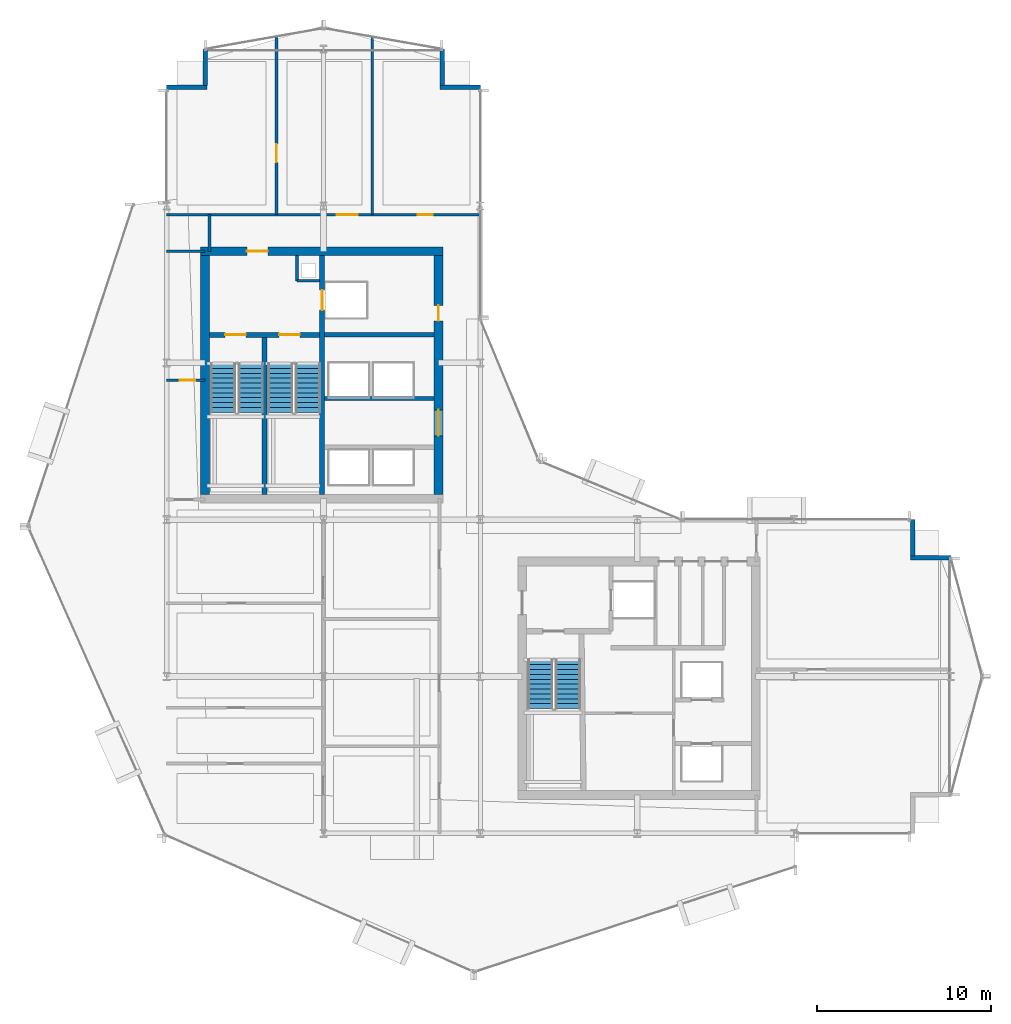
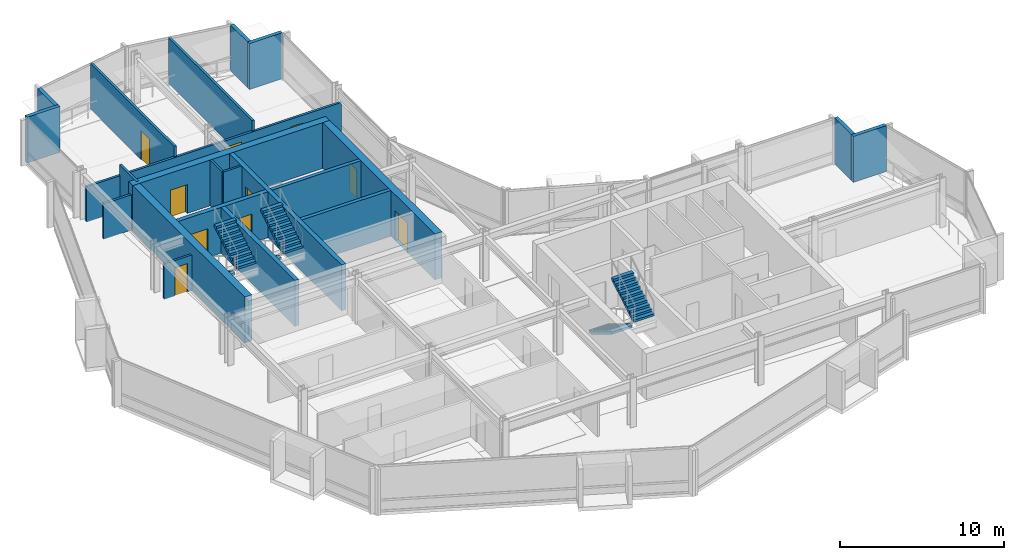
# One storey, part 23 of 28: 22 walls, 10 doors, 6 stair flights, 10 openings, 3 elements without a shape of their own.
"""IFC4 building model written with IfcOpenShell, lengths in metres."""

from ifc_helpers import new_model, si_unit, direction, frame, frame_2d, origin, place, context, subcontext, project, spatial, polyline, rectangle, outline, extrude, material, layer, layer_set, type_object, element, fill, aggregate, save


model = new_model("IFC4")

# Units and contexts
model_context = context("Model", 3, precision=1e-05, world=origin(), true_north=direction((0.0, 1.0)))
body_context = subcontext(model_context, "Body", "Model", "MODEL_VIEW")
ifc_project = project(units=[si_unit("LENGTHUNIT", "METRE"), si_unit("AREAUNIT", "SQUARE_METRE"), si_unit("VOLUMEUNIT", "CUBIC_METRE"), si_unit("PLANEANGLEUNIT", "RADIAN"), si_unit("MASSUNIT", "GRAM", prefix="KILO")], contexts=[model_context])

# Site, building, storey
site_placement = place(None, origin())
site = spatial("IfcSite", under=ifc_project, at=site_placement, CompositionType="ELEMENT")
building_placement = place(site_placement, origin())
building = spatial("IfcBuilding", under=site, at=building_placement, Name="Solvaryn Broadcast Tower", CompositionType="ELEMENT")
storey_placement = place(building_placement, frame((0.0, 0.0, 135.89990234375)))
storey = spatial("IfcBuildingStorey", under=building, at=storey_placement, Name="L33", CompositionType="ELEMENT", Elevation=135.89990234375)

# Wall, opening, door
ifc_material_1 = material(Name="Concrete f'c 70 MPa", Category="concrete")
ifc_layer_1 = layer(ifc_material_1, 0.5)
ifc_layer_set_1 = layer_set([ifc_layer_1], Name="CW-SHEAR-500")
wall_type_1 = type_object("IfcWallType", Name="CW-SHEAR-500", PredefinedType="SHEAR", material=ifc_layer_set_1)
wall_1_placement = place(storey_placement, frame((24.85009765625, 42.39990234375, 0.0), z_axis=(0.0, 0.0, 1.0), x_axis=(-1.0, 0.0, 0.0)))
wall_1 = element("IfcWall", 1, at=wall_1_placement, inside=storey, type_object=wall_type_1, Name="L33 West Core North Shear Wall", PredefinedType="SHEAR", context=body_context, shape_type="SweptSolid", body=[
    extrude(rectangle(XDim=13.900146484375, YDim=0.5, at=frame_2d((6.9501953125, 0.0))), origin(), (0.0, 0.0, 1.0), 3.420166015625),
])
opening_1_placement = place(wall_1_placement, frame((10.050048828125, 0.0, 0.0)))
opening_1 = element("IfcOpeningElement", 2, at=opening_1_placement, cuts=wall_1, Name="Opening FD90A", PredefinedType="OPENING", context=body_context, shape_type="SweptSolid", body=[
    extrude(rectangle(XDim=1.199951171875, YDim=2.14990234375, at=frame_2d((0.60009765625, 1.074951171875))), frame((0.0, 0.260009765625, 0.0), z_axis=(0.0, -1.0, 0.0), x_axis=(1.0, 0.0, 0.0)), (0.0, 0.0, 1.0), 0.52001953125),
])
ifc_material_2 = material(Name="Flush Acoustic Steel and Timber Door Assembly", Category="steel")
door_type_1 = type_object("IfcDoorType", Name="FD90-STAIR-1200X2150", OperationType="NOTDEFINED", PredefinedType="DOOR", material=ifc_material_2)
door_1_placement = place(opening_1_placement, origin())
door_1 = element("IfcDoor", 3, at=door_1_placement, inside=storey, type_object=door_type_1, Name="L33 West FSAE Lobby Corridor Door", OperationType="SINGLE_SWING_LEFT", OverallHeight=2.14990234375, OverallWidth=1.199951171875, PredefinedType="DOOR", context=body_context, shape_type="SweptSolid", body=[
    extrude(rectangle(XDim=1.199951171875, YDim=2.14990234375, at=frame_2d((0.60009765625, 1.074951171875))), frame((0.0, 0.02490234375, 0.0), z_axis=(0.0, -1.0, 0.0), x_axis=(1.0, 0.0, 0.0)), (0.0, 0.0, 1.0), 0.050048828125),
])
fill(opening_1, door_1)

# Wall
wall_2_placement = place(storey_placement, frame((11.199951171875, 42.14990234375, 0.0), z_axis=(0.0, 0.0, 1.0), x_axis=(0.0, -1.0, 0.0)))
element("IfcWall", 4, at=wall_2_placement, inside=storey, type_object=wall_type_1, Name="L33 West Core West Shear Wall", PredefinedType="SHEAR", context=body_context, shape_type="SweptSolid", body=[
    extrude(rectangle(XDim=13.699951171875, YDim=0.5, at=frame_2d((6.85009765625, 0.0))), origin(), (0.0, 0.0, 1.0), 3.420166015625),
])

# Wall, openings, doors
wall_3_placement = place(storey_placement, frame((24.60009765625, 28.449951171875, 0.0), z_axis=(0.0, 0.0, 1.0), x_axis=(0.0, 1.0, 0.0)))
wall_3 = element("IfcWall", 5, at=wall_3_placement, inside=storey, type_object=wall_type_1, Name="L33 West Core East Shear Wall", PredefinedType="SHEAR", context=body_context, shape_type="SweptSolid", body=[
    extrude(rectangle(XDim=13.699951171875, YDim=0.5, at=frame_2d((6.85009765625, 0.0))), origin(), (0.0, 0.0, 1.0), 3.420166015625),
])
opening_2_placement = place(wall_3_placement, frame((3.35009765625, 0.0, 0.0)))
opening_2 = element("IfcOpeningElement", 6, at=opening_2_placement, cuts=wall_3, Name="Opening FD60A", PredefinedType="OPENING", context=body_context, shape_type="SweptSolid", body=[
    extrude(rectangle(XDim=1.5, YDim=2.199951171875, at=frame_2d((0.75, 1.10009765625))), frame((0.0, 0.260009765625, 0.0), z_axis=(0.0, -1.0, 0.0), x_axis=(1.0, 0.0, 0.0)), (0.0, 0.0, 1.0), 0.52001953125),
])
opening_3_placement = place(wall_3_placement, frame((9.949951171875, 0.0, 0.0)))
opening_3 = element("IfcOpeningElement", 7, at=opening_3_placement, cuts=wall_3, Name="Opening FD60C", PredefinedType="OPENING", context=body_context, shape_type="SweptSolid", body=[
    extrude(rectangle(XDim=0.89990234375, YDim=2.10009765625, at=frame_2d((0.449951171875, 1.050048828125))), frame((0.0, 0.260009765625, 0.0), z_axis=(0.0, -1.0, 0.0), x_axis=(1.0, 0.0, 0.0)), (0.0, 0.0, 1.0), 0.52001953125),
])
ifc_material_3 = material(Name="Flush Acoustic Steel and Timber Door Assembly", Category="steel")
door_type_2 = type_object("IfcDoorType", Name="FD60-CORR-1500X2200", OperationType="NOTDEFINED", PredefinedType="DOOR", material=ifc_material_3)
door_2_placement = place(opening_2_placement, origin())
door_2 = element("IfcDoor", 8, at=door_2_placement, inside=storey, type_object=door_type_2, Name="L33 West Elevator Lobby Corridor Door", OperationType="DOUBLE_DOOR_SINGLE_SWING", OverallHeight=2.199951171875, OverallWidth=1.5, PredefinedType="DOOR", context=body_context, shape_type="SweptSolid", body=[
    extrude(rectangle(XDim=1.5, YDim=2.199951171875, at=frame_2d((0.75, 1.10009765625))), frame((0.0, 0.02490234375, 0.0), z_axis=(0.0, -1.0, 0.0), x_axis=(1.0, 0.0, 0.0)), (0.0, 0.0, 1.0), 0.050048828125),
])
fill(opening_2, door_2)
ifc_material_4 = material(Name="Flush Acoustic Steel and Timber Door Assembly", Category="steel")
door_type_3 = type_object("IfcDoorType", Name="FD60-SERV-900X2100", OperationType="NOTDEFINED", PredefinedType="DOOR", material=ifc_material_4)
door_3_placement = place(opening_3_placement, origin())
door_3 = element("IfcDoor", 9, at=door_3_placement, inside=storey, type_object=door_type_3, Name="L33 West Core Service Door 1", OperationType="SINGLE_SWING_LEFT", OverallHeight=2.10009765625, OverallWidth=0.89990234375, PredefinedType="DOOR", context=body_context, shape_type="SweptSolid", body=[
    extrude(rectangle(XDim=0.89990234375, YDim=2.10009765625, at=frame_2d((0.449951171875, 1.050048828125))), frame((0.0, 0.02490234375, 0.0), z_axis=(0.0, -1.0, 0.0), x_axis=(1.0, 0.0, 0.0)), (0.0, 0.0, 1.0), 0.050048828125),
])
fill(opening_3, door_3)

# Walls
ifc_material_5 = material(Name="Concrete f'c 50 MPa", Category="concrete")
ifc_layer_2 = layer(ifc_material_5, 0.260009765625)
ifc_layer_set_2 = layer_set([ifc_layer_2], Name="EW-PIER-260")
wall_type_2 = type_object("IfcWallType", Name="EW-PIER-260", PredefinedType="SOLIDWALL", material=ifc_layer_set_2)
wall_4_placement = place(storey_placement, frame((9.0, 51.800048828125, 0.0), z_axis=(0.0, 0.0, 1.0), x_axis=(1.0, 0.0, 0.0)))
element("IfcWall", 10, at=wall_4_placement, inside=storey, type_object=wall_type_2, Name="L33 Notched Corner Pier Wall NNW1", PredefinedType="SOLIDWALL", context=body_context, shape_type="SweptSolid", body=[
    extrude(rectangle(XDim=2.320068359375, YDim=0.260009765625, at=frame_2d((1.16015625, 0.0))), origin(), (0.0, 0.0, 1.0), 3.420166015625),
])
for number, where, z_axis, x_axis, name in (
    (11, (11.199951171875, 51.919921875, 0.0), (0.0, 0.0, 1.0), (0.0, 1.0, 0.0), "L33 Notched Corner Pier Wall NNW2"),
    (12, (24.800048828125, 54.0, 0.0), (0.0, 0.0, 1.0), (0.0, -1.0, 0.0), "L33 Notched Corner Pier Wall NNE1"),
):
    element("IfcWall", number, at=place(storey_placement, frame(where, z_axis=z_axis, x_axis=x_axis)), inside=storey, type_object=wall_type_2, Name=name, PredefinedType="SOLIDWALL", context=body_context, shape_type="SweptSolid", body=[
        extrude(rectangle(XDim=2.080078125, YDim=0.260009765625, at=frame_2d((1.0400390625, 0.0))), origin(), (0.0, 0.0, 1.0), 3.420166015625),
    ])
for number, where, z_axis, x_axis, name in (
    (13, (24.679931640625, 51.800048828125, 0.0), (0.0, 0.0, 1.0), (1.0, 0.0, 0.0), "L33 Notched Corner Pier Wall NNE2"),
    (14, (54.0, 24.800048828125, 0.0), (0.0, 0.0, 1.0), (-1.0, 0.0, 0.0), "L33 Notched Corner Pier Wall NEE1"),
):
    element("IfcWall", number, at=place(storey_placement, frame(where, z_axis=z_axis, x_axis=x_axis)), inside=storey, type_object=wall_type_2, Name=name, PredefinedType="SOLIDWALL", context=body_context, shape_type="SweptSolid", body=[
        extrude(rectangle(XDim=2.320068359375, YDim=0.260009765625, at=frame_2d((1.16015625, 0.0))), origin(), (0.0, 0.0, 1.0), 3.420166015625),
    ])
wall_5_placement = place(storey_placement, frame((51.800048828125, 24.919921875, 0.0), z_axis=(0.0, 0.0, 1.0), x_axis=(0.0, 1.0, 0.0)))
element("IfcWall", 15, at=wall_5_placement, inside=storey, type_object=wall_type_2, Name="L33 Notched Corner Pier Wall NEE2", PredefinedType="SOLIDWALL", context=body_context, shape_type="SweptSolid", body=[
    extrude(rectangle(XDim=2.080078125, YDim=0.260009765625, at=frame_2d((1.0400390625, 0.0))), origin(), (0.0, 0.0, 1.0), 3.420166015625),
])
ifc_material_6 = material(Name="Metal-Stud Service Core Partition")
ifc_layer_3 = layer(ifc_material_6, 0.14990234375)
ifc_layer_set_3 = layer_set([ifc_layer_3], Name="IW-PART-150")
wall_type_3 = type_object("IfcWallType", Name="IW-PART-150", PredefinedType="PARTITIONING", material=ifc_layer_set_3)
wall_6_placement = place(storey_placement, frame((16.47998046875, 40.699951171875, 0.0), z_axis=(0.0, 0.0, 1.0), x_axis=(1.0, 0.0, 0.0)))
element("IfcWall", 16, at=wall_6_placement, inside=storey, type_object=wall_type_3, Name="L33 West Core Riser Shaft South Wall", PredefinedType="PARTITIONING", context=body_context, shape_type="SweptSolid", body=[
    extrude(rectangle(XDim=1.2900390625, YDim=0.14990234375, at=frame_2d((0.64501953125, 0.0))), origin(), (0.0, 0.0, 1.0), 3.420166015625),
])
wall_7_placement = place(storey_placement, frame((16.47998046875, 40.699951171875, 0.0), z_axis=(0.0, 0.0, 1.0), x_axis=(0.0, 1.0, 0.0)))
element("IfcWall", 17, at=wall_7_placement, inside=storey, type_object=wall_type_3, Name="L33 West Core Riser Shaft West Wall", PredefinedType="PARTITIONING", context=body_context, shape_type="SweptSolid", body=[
    extrude(rectangle(XDim=1.449951171875, YDim=0.14990234375, at=frame_2d((0.72509765625, 0.0))), origin(), (0.0, 0.0, 1.0), 3.420166015625),
])

# Wall, opening, door
wall_8_placement = place(storey_placement, frame((9.0, 35.0, 0.0), z_axis=(0.0, 0.0, 1.0), x_axis=(1.0, 0.0, 0.0)))
wall_8 = element("IfcWall", 18, at=wall_8_placement, inside=storey, type_object=wall_type_3, Name="L33 Interior Partition IW-L33-WM-M", PredefinedType="PARTITIONING", context=body_context, shape_type="SweptSolid", body=[
    extrude(rectangle(XDim=2.199951171875, YDim=0.14990234375, at=frame_2d((1.10009765625, 0.0))), origin(), (0.0, 0.0, 1.0), 2.634033203125),
])
opening_4_placement = place(wall_8_placement, frame((0.75, 0.0, 0.0)))
opening_4 = element("IfcOpeningElement", 19, at=opening_4_placement, cuts=wall_8, Name="Opening FD60C", PredefinedType="OPENING", context=body_context, shape_type="SweptSolid", body=[
    extrude(rectangle(XDim=0.89990234375, YDim=2.10009765625, at=frame_2d((0.449951171875, 1.050048828125))), frame((0.0, 0.0849609375, 0.0), z_axis=(0.0, -1.0, 0.0), x_axis=(1.0, 0.0, 0.0)), (0.0, 0.0, 1.0), 0.169921875),
])
door_4_placement = place(opening_4_placement, origin())
door_4 = element("IfcDoor", 20, at=door_4_placement, inside=storey, type_object=door_type_3, Name="L33 Door DR-L33-WM1", OperationType="SINGLE_SWING_RIGHT", OverallHeight=2.10009765625, OverallWidth=0.89990234375, PredefinedType="DOOR", context=body_context, shape_type="SweptSolid", body=[
    extrude(rectangle(XDim=0.89990234375, YDim=2.10009765625, at=frame_2d((0.449951171875, 1.050048828125))), frame((0.0, 0.02490234375, 0.0), z_axis=(0.0, -1.0, 0.0), x_axis=(1.0, 0.0, 0.0)), (0.0, 0.0, 1.0), 0.050048828125),
])
fill(opening_4, door_4)

# Walls
ifc_material_7 = material(Name="Metal-Stud Gypsum Office Partition")
ifc_layer_4 = layer(ifc_material_7, 0.159912109375)
ifc_layer_set_4 = layer_set([ifc_layer_4], Name="IW-PART-160")
wall_type_4 = type_object("IfcWallType", Name="IW-PART-160", PredefinedType="PARTITIONING", material=ifc_layer_set_4)
wall_9_placement = place(storey_placement, frame((9.0, 42.39990234375, 0.0), z_axis=(0.0, 0.0, 1.0), x_axis=(1.0, 0.0, 0.0)))
element("IfcWall", 21, at=wall_9_placement, inside=storey, type_object=wall_type_4, Name="L33 Interior Partition IW-L33-WM-N", PredefinedType="PARTITIONING", context=body_context, shape_type="SweptSolid", body=[
    extrude(rectangle(XDim=2.199951171875, YDim=0.159912109375, at=frame_2d((1.10009765625, 0.0))), origin(), (0.0, 0.0, 1.0), 2.634033203125),
])
wall_10_placement = place(storey_placement, frame((11.449951171875, 42.39990234375, 0.0), z_axis=(0.0, 0.0, 1.0), x_axis=(0.0, 1.0, 0.0)))
element("IfcWall", 22, at=wall_10_placement, inside=storey, type_object=wall_type_4, Name="L33 Interior Partition IW-L33-WM-E", PredefinedType="PARTITIONING", context=body_context, shape_type="SweptSolid", body=[
    extrude(rectangle(XDim=2.10009765625, YDim=0.159912109375, at=frame_2d((1.050048828125, 0.0))), origin(), (0.0, 0.0, 1.0), 3.420166015625),
])

# Wall, openings, doors
wall_11_placement = place(storey_placement, frame((9.0, 44.5, 0.0), z_axis=(0.0, 0.0, 1.0), x_axis=(1.0, 0.0, 0.0)))
wall_11 = element("IfcWall", 23, at=wall_11_placement, inside=storey, type_object=wall_type_4, Name="L33 Interior Partition IW-L33-NW-SB", PredefinedType="PARTITIONING", context=body_context, shape_type="SweptSolid", body=[
    extrude(rectangle(XDim=18.0, YDim=0.159912109375, at=frame_2d((9.0, 0.0))), origin(), (0.0, 0.0, 1.0), 2.634033203125),
])
opening_5_placement = place(wall_11_placement, frame((9.75, 0.0, 0.0)))
opening_5 = element("IfcOpeningElement", 24, at=opening_5_placement, cuts=wall_11, Name="Opening ID04", PredefinedType="OPENING", context=body_context, shape_type="SweptSolid", body=[
    extrude(rectangle(XDim=1.199951171875, YDim=2.14990234375, at=frame_2d((0.60009765625, 1.074951171875))), frame((0.0, 0.090087890625, 0.0), z_axis=(0.0, -1.0, 0.0), x_axis=(1.0, 0.0, 0.0)), (0.0, 0.0, 1.0), 0.179931640625),
])
opening_6_placement = place(wall_11_placement, frame((14.39990234375, 0.0, 0.0)))
opening_6 = element("IfcOpeningElement", 25, at=opening_6_placement, cuts=wall_11, Name="Opening ID07", PredefinedType="OPENING", context=body_context, shape_type="SweptSolid", body=[
    extrude(rectangle(XDim=0.860107421875, YDim=2.050048828125, at=frame_2d((0.43017578125, 1.02490234375))), frame((0.0, 0.090087890625, 0.0), z_axis=(0.0, -1.0, 0.0), x_axis=(1.0, 0.0, 0.0)), (0.0, 0.0, 1.0), 0.179931640625),
])
ifc_material_8 = material(Name="Flush Acoustic Steel and Timber Door Assembly", Category="steel")
door_type_4 = type_object("IfcDoorType", Name="ID-04-1200X2150", OperationType="NOTDEFINED", PredefinedType="DOOR", material=ifc_material_8)
door_5_placement = place(opening_5_placement, origin())
door_5 = element("IfcDoor", 26, at=door_5_placement, inside=storey, type_object=door_type_4, Name="L33 Door DR-L33-NW-2", OperationType="SINGLE_SWING_RIGHT", OverallHeight=2.14990234375, OverallWidth=1.199951171875, PredefinedType="DOOR", context=body_context, shape_type="SweptSolid", body=[
    extrude(rectangle(XDim=1.199951171875, YDim=2.14990234375, at=frame_2d((0.60009765625, 1.074951171875))), frame((0.0, 0.02490234375, 0.0), z_axis=(0.0, -1.0, 0.0), x_axis=(1.0, 0.0, 0.0)), (0.0, 0.0, 1.0), 0.050048828125),
])
fill(opening_5, door_5)
ifc_material_9 = material(Name="Flush Acoustic Steel and Timber Door Assembly", Category="steel")
door_type_5 = type_object("IfcDoorType", Name="ID-07-860X2050", OperationType="NOTDEFINED", PredefinedType="DOOR", material=ifc_material_9)
door_6_placement = place(opening_6_placement, origin())
door_6 = element("IfcDoor", 27, at=door_6_placement, inside=storey, type_object=door_type_5, Name="L33 Door DR-L33-NW-3", OperationType="SINGLE_SWING_LEFT", OverallHeight=2.050048828125, OverallWidth=0.860107421875, PredefinedType="DOOR", context=body_context, shape_type="SweptSolid", body=[
    extrude(rectangle(XDim=0.860107421875, YDim=2.050048828125, at=frame_2d((0.43017578125, 1.02490234375))), frame((0.0, 0.02490234375, 0.0), z_axis=(0.0, -1.0, 0.0), x_axis=(1.0, 0.0, 0.0)), (0.0, 0.0, 1.0), 0.050048828125),
])
fill(opening_6, door_6)

# Wall, opening, door
wall_12_placement = place(storey_placement, frame((15.300048828125, 44.5, 0.0), z_axis=(0.0, 0.0, 1.0), x_axis=(0.0, 1.0, 0.0)))
wall_12 = element("IfcWall", 28, at=wall_12_placement, inside=storey, type_object=wall_type_4, Name="L33 Interior Partition IW-L33-NW-V1", PredefinedType="PARTITIONING", context=body_context, shape_type="SweptSolid", body=[
    extrude(rectangle(XDim=10.22412109375, YDim=0.159912109375, at=frame_2d((5.112060546875, 0.0))), origin(), (0.0, 0.0, 1.0), 3.420166015625),
])
opening_7_placement = place(wall_12_placement, frame((3.0, 0.0, 0.0)))
opening_7 = element("IfcOpeningElement", 29, at=opening_7_placement, cuts=wall_12, Name="Opening ID03", PredefinedType="OPENING", context=body_context, shape_type="SweptSolid", body=[
    extrude(rectangle(XDim=1.050048828125, YDim=2.14990234375, at=frame_2d((0.52490234375, 1.074951171875))), frame((0.0, 0.090087890625, 0.0), z_axis=(0.0, -1.0, 0.0), x_axis=(1.0, 0.0, 0.0)), (0.0, 0.0, 1.0), 0.179931640625),
])
ifc_material_10 = material(Name="Flush Acoustic Steel and Timber Door Assembly", Category="steel")
door_type_6 = type_object("IfcDoorType", Name="ID-03-1050X2150", OperationType="NOTDEFINED", PredefinedType="DOOR", material=ifc_material_10)
door_7_placement = place(opening_7_placement, origin())
door_7 = element("IfcDoor", 30, at=door_7_placement, inside=storey, type_object=door_type_6, Name="L33 Door DR-L33-NW-C1", OperationType="SINGLE_SWING_LEFT", OverallHeight=2.14990234375, OverallWidth=1.050048828125, PredefinedType="DOOR", context=body_context, shape_type="SweptSolid", body=[
    extrude(rectangle(XDim=1.050048828125, YDim=2.14990234375, at=frame_2d((0.52490234375, 1.074951171875))), frame((0.0, 0.02490234375, 0.0), z_axis=(0.0, -1.0, 0.0), x_axis=(1.0, 0.0, 0.0)), (0.0, 0.0, 1.0), 0.050048828125),
])
fill(opening_7, door_7)

# Walls
wall_13_placement = place(storey_placement, frame((20.800048828125, 44.5, 0.0), z_axis=(0.0, 0.0, 1.0), x_axis=(0.0, 1.0, 0.0)))
element("IfcWall", 31, at=wall_13_placement, inside=storey, type_object=wall_type_4, Name="L33 Interior Partition IW-L33-NW-V2", PredefinedType="PARTITIONING", context=body_context, shape_type="SweptSolid", body=[
    extrude(rectangle(XDim=10.2060546875, YDim=0.159912109375, at=frame_2d((5.10302734375, 0.0))), origin(), (0.0, 0.0, 1.0), 3.420166015625),
])
ifc_material_11 = material(Name="Concrete f'c 60 MPa", Category="concrete")
ifc_layer_5 = layer(ifc_material_11, 0.25)
ifc_layer_set_5 = layer_set([ifc_layer_5], Name="SW-SHAFT-250")
wall_type_5 = type_object("IfcWallType", Name="SW-SHAFT-250", PredefinedType="PARTITIONING", material=ifc_layer_set_5)
for number, where, z_axis, x_axis, name in (
    (32, (18.070068359375, 37.60009765625, 0.0), (0.0, 0.0, 1.0), (1.0, 0.0, 0.0), "L33 West Core FSAE Hoistway Front Wall"),
    (33, (24.35009765625, 33.949951171875, 0.0), (0.0, 0.0, 1.0), (-1.0, 0.0, 0.0), "L33 High-Rise Lift Bank North Wall"),
):
    element("IfcWall", number, at=place(storey_placement, frame(where, z_axis=z_axis, x_axis=x_axis)), inside=storey, type_object=wall_type_5, Name=name, PredefinedType="PARTITIONING", context=body_context, shape_type="SweptSolid", body=[
        extrude(rectangle(XDim=6.280029296875, YDim=0.25, at=frame_2d((3.14013671875, 0.0))), origin(), (0.0, 0.0, 1.0), 3.420166015625),
    ])
ifc_material_12 = material(Name="Concrete f'c 70 MPa", Category="concrete")
ifc_layer_6 = layer(ifc_material_12, 0.300048828125)
ifc_layer_set_6 = layer_set([ifc_layer_6], Name="SW-SHAFT-300")
wall_type_6 = type_object("IfcWallType", Name="SW-SHAFT-300", PredefinedType="SHEAR", material=ifc_layer_set_6)
wall_14_placement = place(storey_placement, frame((14.6201171875, 28.449951171875, 0.0), z_axis=(0.0, 0.0, 1.0), x_axis=(0.0, 1.0, 0.0)))
element("IfcWall", 34, at=wall_14_placement, inside=storey, type_object=wall_type_6, Name="L33 Stair 1-2 Dividing Wall", PredefinedType="SHEAR", context=body_context, shape_type="SweptSolid", body=[
    extrude(rectangle(XDim=9.0, YDim=0.300048828125, at=frame_2d((4.5, 0.0))), origin(), (0.0, 0.0, 1.0), 3.420166015625),
])

# Wall, opening, door
wall_15_placement = place(storey_placement, frame((17.919921875, 42.14990234375, 0.0), z_axis=(0.0, 0.0, 1.0), x_axis=(0.0, -1.0, 0.0)))
wall_15 = element("IfcWall", 35, at=wall_15_placement, inside=storey, type_object=wall_type_6, Name="L33 West Core Stair-Lobby Shear Wall", PredefinedType="SHEAR", context=body_context, shape_type="SweptSolid", body=[
    extrude(rectangle(XDim=13.699951171875, YDim=0.300048828125, at=frame_2d((6.85009765625, 0.0))), origin(), (0.0, 0.0, 1.0), 3.420166015625),
])
opening_8_placement = place(wall_15_placement, frame((1.97509765625, 0.0, 0.0)))
opening_8 = element("IfcOpeningElement", 36, at=opening_8_placement, cuts=wall_15, Name="Opening LD01", PredefinedType="OPENING", context=body_context, shape_type="SweptSolid", body=[
    extrude(rectangle(XDim=1.14990234375, YDim=2.14990234375, at=frame_2d((0.574951171875, 1.074951171875))), frame((0.0, 0.159912109375, 0.0), z_axis=(0.0, -1.0, 0.0), x_axis=(1.0, 0.0, 0.0)), (0.0, 0.0, 1.0), 0.320068359375),
])
ifc_material_13 = material(Name="Flush Acoustic Steel and Timber Door Assembly", Category="steel")
door_type_7 = type_object("IfcDoorType", Name="LD-LIFT-1150X2150", OperationType="NOTDEFINED", PredefinedType="DOOR", material=ifc_material_13)
door_8_placement = place(opening_8_placement, origin())
door_8 = element("IfcDoor", 37, at=door_8_placement, inside=storey, type_object=door_type_7, Name="L33 FL1 Lift Landing Door", OperationType="DOUBLE_DOOR_SLIDING", OverallHeight=2.14990234375, OverallWidth=1.14990234375, PredefinedType="DOOR", context=body_context, shape_type="SweptSolid", body=[
    extrude(rectangle(XDim=1.14990234375, YDim=2.14990234375, at=frame_2d((0.574951171875, 1.074951171875))), frame((0.0, 0.02490234375, 0.0), z_axis=(0.0, -1.0, 0.0), x_axis=(1.0, 0.0, 0.0)), (0.0, 0.0, 1.0), 0.050048828125),
])
fill(opening_8, door_8)

# Wall, openings, doors
wall_16_placement = place(storey_placement, frame((17.77001953125, 37.60009765625, 0.0), z_axis=(0.0, 0.0, 1.0), x_axis=(-1.0, 0.0, 0.0)))
wall_16 = element("IfcWall", 38, at=wall_16_placement, inside=storey, type_object=wall_type_6, Name="L33 West Core FSAE Lobby South Wall", PredefinedType="SHEAR", context=body_context, shape_type="SweptSolid", body=[
    extrude(rectangle(XDim=6.320068359375, YDim=0.300048828125, at=frame_2d((3.16015625, 0.0))), origin(), (0.0, 0.0, 1.0), 3.420166015625),
])
opening_9_placement = place(wall_16_placement, frame((4.219970703125, 0.0, 0.0)))
opening_9 = element("IfcOpeningElement", 39, at=opening_9_placement, cuts=wall_16, Name="Opening FD90A", PredefinedType="OPENING", context=body_context, shape_type="SweptSolid", body=[
    extrude(rectangle(XDim=1.199951171875, YDim=2.14990234375, at=frame_2d((0.60009765625, 1.074951171875))), frame((0.0, 0.159912109375, 0.0), z_axis=(0.0, -1.0, 0.0), x_axis=(1.0, 0.0, 0.0)), (0.0, 0.0, 1.0), 0.320068359375),
])
opening_10_placement = place(wall_16_placement, frame((1.1201171875, 0.0, 0.0)))
opening_10 = element("IfcOpeningElement", 40, at=opening_10_placement, cuts=wall_16, Name="Opening FD90A", PredefinedType="OPENING", context=body_context, shape_type="SweptSolid", body=[
    extrude(rectangle(XDim=1.199951171875, YDim=2.14990234375, at=frame_2d((0.60009765625, 1.074951171875))), frame((0.0, 0.159912109375, 0.0), z_axis=(0.0, -1.0, 0.0), x_axis=(1.0, 0.0, 0.0)), (0.0, 0.0, 1.0), 0.320068359375),
])
door_9_placement = place(opening_9_placement, origin())
door_9 = element("IfcDoor", 41, at=door_9_placement, inside=storey, type_object=door_type_1, Name="L33 Stair 1 Fire Door", OperationType="SINGLE_SWING_LEFT", OverallHeight=2.14990234375, OverallWidth=1.199951171875, PredefinedType="DOOR", context=body_context, shape_type="SweptSolid", body=[
    extrude(rectangle(XDim=1.199951171875, YDim=2.14990234375, at=frame_2d((0.60009765625, 1.074951171875))), frame((0.0, 0.02490234375, 0.0), z_axis=(0.0, -1.0, 0.0), x_axis=(1.0, 0.0, 0.0)), (0.0, 0.0, 1.0), 0.050048828125),
])
fill(opening_9, door_9)
door_10_placement = place(opening_10_placement, origin())
door_10 = element("IfcDoor", 42, at=door_10_placement, inside=storey, type_object=door_type_1, Name="L33 Stair 2 Fire Door", OperationType="SINGLE_SWING_RIGHT", OverallHeight=2.14990234375, OverallWidth=1.199951171875, PredefinedType="DOOR", context=body_context, shape_type="SweptSolid", body=[
    extrude(rectangle(XDim=1.199951171875, YDim=2.14990234375, at=frame_2d((0.60009765625, 1.074951171875))), frame((0.0, 0.02490234375, 0.0), z_axis=(0.0, -1.0, 0.0), x_axis=(1.0, 0.0, 0.0)), (0.0, 0.0, 1.0), 0.050048828125),
])
fill(opening_10, door_10)

# Stair, stair flights
ifc_material_14 = material(Name="Concrete f'c 60 MPa", Category="concrete")
stair_type = type_object("IfcStairType", Name="ST-CORE", PredefinedType="HALF_TURN_STAIR", material=ifc_material_14)
stair_1_placement = place(storey_placement, origin())
stair_1 = element("IfcStair", 43, at=stair_1_placement, inside=storey, type_object=stair_type, Name="L33 ST1", PredefinedType="HALF_TURN_STAIR")
ifc_material_15 = material(Name="Concrete f'c 60 MPa", Category="concrete")
ifc_layer_7 = layer(ifc_material_15, 0.159912109375)
ifc_layer_set_7 = layer_set([ifc_layer_7], Name="SF-CORE")
stair_flight_type = type_object("IfcStairFlightType", Name="SF-CORE", PredefinedType="STRAIGHT", material=ifc_layer_set_7)
stair_flight_1_placement = place(storey_placement, frame((12.239990234375, 35.9599609375, 0.0), z_axis=(0.0, 0.0, 1.0), x_axis=(0.0, -1.0, 0.0)))
stair_flight_1 = element("IfcStairFlight", 44, at=stair_flight_1_placement, type_object=stair_flight_type, Name="ST1 flight 1", NumberOfRisers=11, NumberOfTreads=10, PredefinedType="STRAIGHT", RiserHeight=0.168181818, TreadLength=0.28, context=body_context, shape_type="SweptSolid", body=[
    extrude(outline(polyline([(0.0, 0.0), (0.0, 0.168212890625), (0.280029296875, 0.168212890625), (0.280029296875, 0.33642578125), (0.56005859375, 0.33642578125), (0.56005859375, 0.504638671875), (0.840087890625, 0.504638671875), (0.840087890625, 0.672607421875), (1.1201171875, 0.672607421875), (1.1201171875, 0.8408203125), (1.39990234375, 0.8408203125), (1.39990234375, 1.009033203125), (1.679931640625, 1.009033203125), (1.679931640625, 1.17724609375), (1.9599609375, 1.17724609375), (1.9599609375, 1.345458984375), (2.239990234375, 1.345458984375), (2.239990234375, 1.513671875), (2.52001953125, 1.513671875), (2.52001953125, 1.681884765625), (2.800048828125, 1.681884765625), (2.800048828125, 1.85009765625), (2.800048828125, 1.5068359375), (0.291015625, 0.0), (0.0, 0.0)])), frame((0.0, 0.719970703125, 0.0), z_axis=(0.0, -1.0, 0.0), x_axis=(1.0, 0.0, 0.0)), (0.0, 0.0, 1.0), 1.43994140625),
])
stair_flight_2_placement = place(storey_placement, frame((13.830078125, 33.159912109375, 1.85009765625), z_axis=(0.0, 0.0, 1.0), x_axis=(0.0, 1.0, 0.0)))
stair_flight_2 = element("IfcStairFlight", 45, at=stair_flight_2_placement, type_object=stair_flight_type, Name="ST1 flight 2", NumberOfRisers=11, NumberOfTreads=10, PredefinedType="STRAIGHT", RiserHeight=0.168181818, TreadLength=0.28, context=body_context, shape_type="SweptSolid", body=[
    extrude(outline(polyline([(0.0, 0.0), (0.0, 0.168212890625), (0.280029296875, 0.168212890625), (0.280029296875, 0.33642578125), (0.56005859375, 0.33642578125), (0.56005859375, 0.504638671875), (0.840087890625, 0.504638671875), (0.840087890625, 0.672607421875), (1.1201171875, 0.672607421875), (1.1201171875, 0.8408203125), (1.39990234375, 0.8408203125), (1.39990234375, 1.009033203125), (1.679931640625, 1.009033203125), (1.679931640625, 1.17724609375), (1.9599609375, 1.17724609375), (1.9599609375, 1.345458984375), (2.239990234375, 1.345458984375), (2.239990234375, 1.513671875), (2.52001953125, 1.513671875), (2.52001953125, 1.681884765625), (2.800048828125, 1.681884765625), (2.800048828125, 1.85009765625), (2.800048828125, 1.5068359375), (0.291015625, 0.0), (0.0, 0.0)])), frame((0.0, 0.719970703125, 0.0), z_axis=(0.0, -1.0, 0.0), x_axis=(1.0, 0.0, 0.0)), (0.0, 0.0, 1.0), 1.43994140625),
])
aggregate(stair_1, [stair_flight_1, stair_flight_2])

stair_2_placement = place(storey_placement, origin())
stair_2 = element("IfcStair", 46, at=stair_2_placement, inside=storey, type_object=stair_type, Name="L33 ST2", PredefinedType="HALF_TURN_STAIR")
stair_flight_3_placement = place(storey_placement, frame((15.52001953125, 35.9599609375, 0.0), z_axis=(0.0, 0.0, 1.0), x_axis=(0.0, -1.0, 0.0)))
stair_flight_3 = element("IfcStairFlight", 47, at=stair_flight_3_placement, type_object=stair_flight_type, Name="ST2 flight 1", NumberOfRisers=11, NumberOfTreads=10, PredefinedType="STRAIGHT", RiserHeight=0.168181818, TreadLength=0.28, context=body_context, shape_type="SweptSolid", body=[
    extrude(outline(polyline([(0.0, 0.0), (0.0, 0.168212890625), (0.280029296875, 0.168212890625), (0.280029296875, 0.33642578125), (0.56005859375, 0.33642578125), (0.56005859375, 0.504638671875), (0.840087890625, 0.504638671875), (0.840087890625, 0.672607421875), (1.1201171875, 0.672607421875), (1.1201171875, 0.8408203125), (1.39990234375, 0.8408203125), (1.39990234375, 1.009033203125), (1.679931640625, 1.009033203125), (1.679931640625, 1.17724609375), (1.9599609375, 1.17724609375), (1.9599609375, 1.345458984375), (2.239990234375, 1.345458984375), (2.239990234375, 1.513671875), (2.52001953125, 1.513671875), (2.52001953125, 1.681884765625), (2.800048828125, 1.681884765625), (2.800048828125, 1.85009765625), (2.800048828125, 1.5068359375), (0.291015625, 0.0), (0.0, 0.0)])), frame((0.0, 0.719970703125, 0.0), z_axis=(0.0, -1.0, 0.0), x_axis=(1.0, 0.0, 0.0)), (0.0, 0.0, 1.0), 1.43994140625),
])
stair_flight_4_placement = place(storey_placement, frame((17.110107421875, 33.159912109375, 1.85009765625), z_axis=(0.0, 0.0, 1.0), x_axis=(0.0, 1.0, 0.0)))
stair_flight_4 = element("IfcStairFlight", 48, at=stair_flight_4_placement, type_object=stair_flight_type, Name="ST2 flight 2", NumberOfRisers=11, NumberOfTreads=10, PredefinedType="STRAIGHT", RiserHeight=0.168181818, TreadLength=0.28, context=body_context, shape_type="SweptSolid", body=[
    extrude(outline(polyline([(0.0, 0.0), (0.0, 0.168212890625), (0.280029296875, 0.168212890625), (0.280029296875, 0.33642578125), (0.56005859375, 0.33642578125), (0.56005859375, 0.504638671875), (0.840087890625, 0.504638671875), (0.840087890625, 0.672607421875), (1.1201171875, 0.672607421875), (1.1201171875, 0.8408203125), (1.39990234375, 0.8408203125), (1.39990234375, 1.009033203125), (1.679931640625, 1.009033203125), (1.679931640625, 1.17724609375), (1.9599609375, 1.17724609375), (1.9599609375, 1.345458984375), (2.239990234375, 1.345458984375), (2.239990234375, 1.513671875), (2.52001953125, 1.513671875), (2.52001953125, 1.681884765625), (2.800048828125, 1.681884765625), (2.800048828125, 1.85009765625), (2.800048828125, 1.5068359375), (0.291015625, 0.0), (0.0, 0.0)])), frame((0.0, 0.719970703125, 0.0), z_axis=(0.0, -1.0, 0.0), x_axis=(1.0, 0.0, 0.0)), (0.0, 0.0, 1.0), 1.43994140625),
])
aggregate(stair_2, [stair_flight_3, stair_flight_4])

stair_3_placement = place(storey_placement, origin())
stair_3 = element("IfcStair", 49, at=stair_3_placement, inside=storey, type_object=stair_type, Name="L33 ST3", PredefinedType="HALF_TURN_STAIR")
stair_flight_5_placement = place(storey_placement, frame((30.43994140625, 18.9599609375, 0.0), z_axis=(0.0, 0.0, 1.0), x_axis=(0.0, -1.0, 0.0)))
stair_flight_5 = element("IfcStairFlight", 50, at=stair_flight_5_placement, type_object=stair_flight_type, Name="ST3 flight 1", NumberOfRisers=11, NumberOfTreads=10, PredefinedType="STRAIGHT", RiserHeight=0.168181818, TreadLength=0.28, context=body_context, shape_type="SweptSolid", body=[
    extrude(outline(polyline([(0.0, 0.0), (0.0, 0.168212890625), (0.280029296875, 0.168212890625), (0.280029296875, 0.33642578125), (0.56005859375, 0.33642578125), (0.56005859375, 0.504638671875), (0.840087890625, 0.504638671875), (0.840087890625, 0.672607421875), (1.1201171875, 0.672607421875), (1.1201171875, 0.8408203125), (1.39990234375, 0.8408203125), (1.39990234375, 1.009033203125), (1.679931640625, 1.009033203125), (1.679931640625, 1.17724609375), (1.9599609375, 1.17724609375), (1.9599609375, 1.345458984375), (2.239990234375, 1.345458984375), (2.239990234375, 1.513671875), (2.52001953125, 1.513671875), (2.52001953125, 1.681884765625), (2.800048828125, 1.681884765625), (2.800048828125, 1.85009765625), (2.800048828125, 1.5068359375), (0.291015625, 0.0), (0.0, 0.0)])), frame((0.0, 0.719970703125, 0.0), z_axis=(0.0, -1.0, 0.0), x_axis=(1.0, 0.0, 0.0)), (0.0, 0.0, 1.0), 1.43994140625),
])
stair_flight_6_placement = place(storey_placement, frame((32.030029296875, 16.159912109375, 1.85009765625), z_axis=(0.0, 0.0, 1.0), x_axis=(0.0, 1.0, 0.0)))
stair_flight_6 = element("IfcStairFlight", 51, at=stair_flight_6_placement, type_object=stair_flight_type, Name="ST3 flight 2", NumberOfRisers=11, NumberOfTreads=10, PredefinedType="STRAIGHT", RiserHeight=0.168181818, TreadLength=0.28, context=body_context, shape_type="SweptSolid", body=[
    extrude(outline(polyline([(0.0, 0.0), (0.0, 0.168212890625), (0.280029296875, 0.168212890625), (0.280029296875, 0.33642578125), (0.56005859375, 0.33642578125), (0.56005859375, 0.504638671875), (0.840087890625, 0.504638671875), (0.840087890625, 0.672607421875), (1.1201171875, 0.672607421875), (1.1201171875, 0.8408203125), (1.39990234375, 0.8408203125), (1.39990234375, 1.009033203125), (1.679931640625, 1.009033203125), (1.679931640625, 1.17724609375), (1.9599609375, 1.17724609375), (1.9599609375, 1.345458984375), (2.239990234375, 1.345458984375), (2.239990234375, 1.513671875), (2.52001953125, 1.513671875), (2.52001953125, 1.681884765625), (2.800048828125, 1.681884765625), (2.800048828125, 1.85009765625), (2.800048828125, 1.5068359375), (0.291015625, 0.0), (0.0, 0.0)])), frame((0.0, 0.719970703125, 0.0), z_axis=(0.0, -1.0, 0.0), x_axis=(1.0, 0.0, 0.0)), (0.0, 0.0, 1.0), 1.43994140625),
])
aggregate(stair_3, [stair_flight_5, stair_flight_6])

save(model, "model.ifc")
